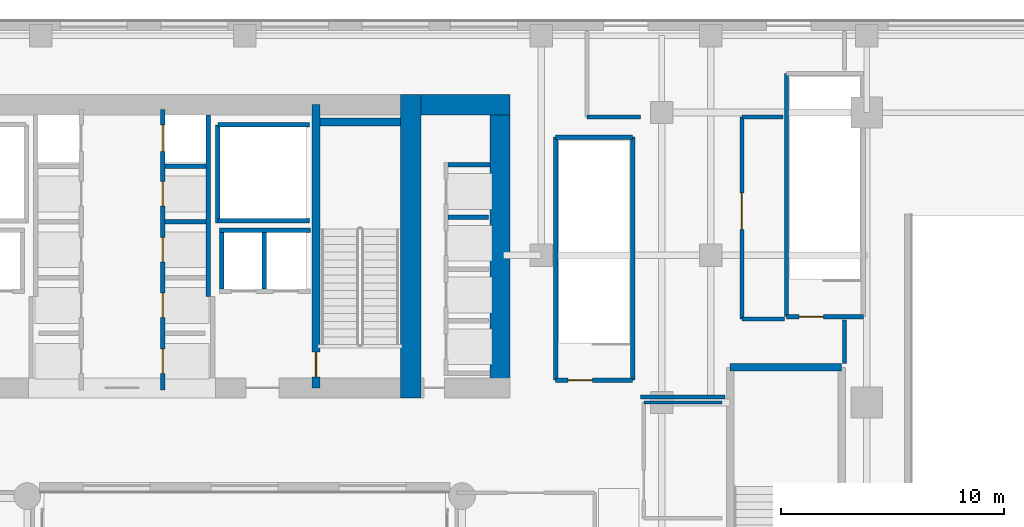
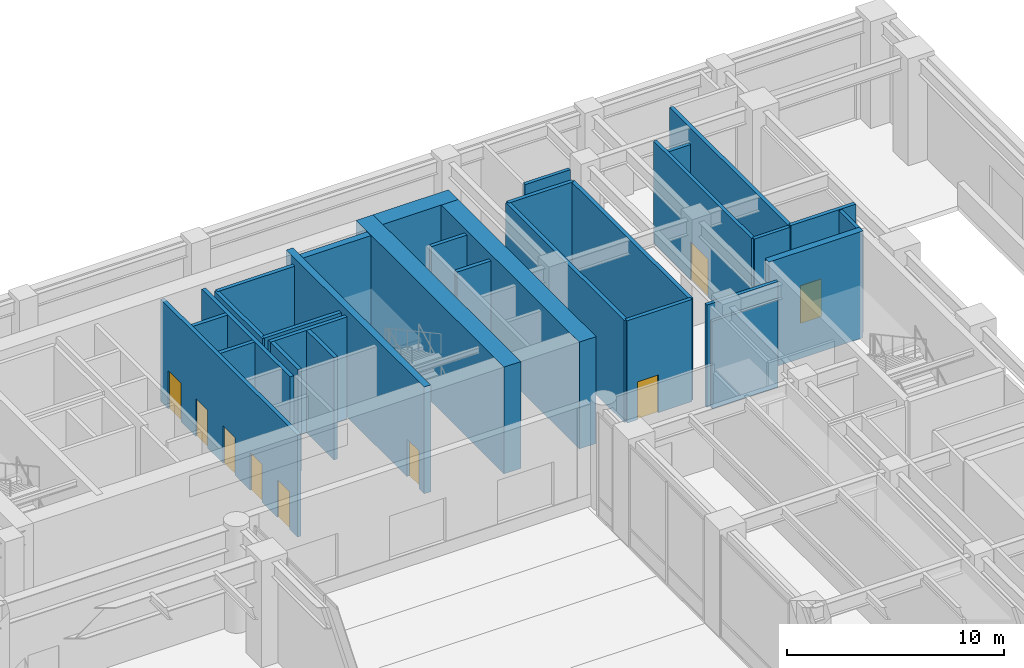
# One storey, part 16 of 28: 31 walls, 9 doors, 9 openings.
"""IFC4 building model written with IfcOpenShell, lengths in metres."""

import ifcopenshell
import ifcopenshell.guid

model = None  # the IFC model being written
_history = None  # IfcOwnerHistory: only IFC2X3 demands one
_inside = {}  # id of a spatial element -> (the spatial element, [elements in it])
_under = {}  # id of a project, library or spatial element -> (it, [spatial elements below it])
_declared = {}  # id of a project -> (the project, [libraries it declares])
_typed = {}  # id of a type object -> (the type object, [elements of that type])
_made_of = {}  # id of a material, layer set ... -> (it, [elements and type objects made of it])


def new_model(schema):
    """Start an empty IFC model of exactly this schema.

    Asked for "IFC4X3", IfcOpenShell would pick the latest addendum, in which some entities
    have other attributes; the version numbers below select the first issue.
    IFC2X3 requires an IfcOwnerHistory on every rooted entity: one is made here for all.
    """
    global model, _history
    if schema == "IFC4X3":
        model = ifcopenshell.file(schema_version=(4, 3, 0, 0))
    else:
        model = ifcopenshell.file(schema=schema)
    _inside.clear()
    _under.clear()
    _declared.clear()
    _typed.clear()
    _made_of.clear()
    _history = None
    if model.schema == "IFC2X3":
        org = make("IfcOrganization", Name="unknown")
        user = make(
            "IfcPersonAndOrganization",
            ThePerson=make("IfcPerson", FamilyName="unknown"),
            TheOrganization=org,
        )
        app = make(
            "IfcApplication",
            ApplicationDeveloper=org,
            Version="unknown",
            ApplicationFullName="unknown",
            ApplicationIdentifier="unknown",
        )
        _history = make(
            "IfcOwnerHistory",
            OwningUser=user,
            OwningApplication=app,
            ChangeAction="ADDED",
            CreationDate=0,
        )
    return model


def make(cls, **values):
    """One entity of the class cls with the attributes given. An attribute that is None is left unset."""
    return model.create_entity(
        cls, **{name: value for name, value in values.items() if value is not None}
    )


def rooted(cls, **values):
    """An entity with a GlobalId (a new one), such as an element, a storey or a relation."""
    return make(cls, GlobalId=ifcopenshell.guid.new(), OwnerHistory=_history, **values)


def si_unit(unit_type, name, prefix=None):
    """IfcSIUnit, for example si_unit("LENGTHUNIT", "METRE", prefix="MILLI")."""
    return make("IfcSIUnit", UnitType=unit_type, Prefix=prefix, Name=name)


def assignment(units):
    """IfcUnitAssignment: the units of a project."""
    return None if units is None else make("IfcUnitAssignment", Units=units)


def point(xyz):
    """IfcCartesianPoint."""
    return None if xyz is None else make("IfcCartesianPoint", Coordinates=xyz)


def direction(xyz):
    """IfcDirection."""
    return None if xyz is None else make("IfcDirection", DirectionRatios=xyz)


def frame(location, z_axis=None, x_axis=None):
    """IfcAxis2Placement3D, a coordinate frame: its origin and axes. An axis left out is left unset."""
    return make(
        "IfcAxis2Placement3D",
        Location=point(location),
        Axis=direction(z_axis),
        RefDirection=direction(x_axis),
    )


def frame_2d(location, x_axis=None):
    """IfcAxis2Placement2D, a coordinate frame in the plane: its origin and x axis."""
    return make(
        "IfcAxis2Placement2D", Location=point(location), RefDirection=direction(x_axis)
    )


def origin():
    """The frame at (0, 0, 0) with its axes left unset."""
    return frame((0.0, 0.0, 0.0))


def place(relative_to, where):
    """IfcLocalPlacement: puts the frame where relative to a parent placement (None: the world)."""
    return make(
        "IfcLocalPlacement", PlacementRelTo=relative_to, RelativePlacement=where
    )


def context(
    kind, dimensions, precision=None, world=None, true_north=None, identifier=None
):
    """IfcGeometricRepresentationContext, for example the 3D "Model" context."""
    return make(
        "IfcGeometricRepresentationContext",
        ContextIdentifier=identifier,
        ContextType=kind,
        CoordinateSpaceDimension=dimensions,
        Precision=precision,
        WorldCoordinateSystem=world,
        TrueNorth=true_north,
    )


def subcontext(parent, identifier, kind, view, scale=None):
    """IfcGeometricRepresentationSubContext, for example "Body" below "Model"."""
    return make(
        "IfcGeometricRepresentationSubContext",
        ContextIdentifier=identifier,
        ContextType=kind,
        ParentContext=parent,
        TargetScale=scale,
        TargetView=view,
    )


def project(units=None, contexts=None):
    """IfcProject with its units and contexts."""
    return rooted(
        "IfcProject",
        Name="project",
        RepresentationContexts=contexts,
        UnitsInContext=assignment(units),
    )


def spatial(cls, under=None, at=None, **own):
    """A site, building, storey or space (cls), placed at a placement, below another one or the project."""
    s = rooted(cls, ObjectPlacement=at, **own)
    if under is not None:
        _under.setdefault(under.id(), (under, []))[1].append(s)
    return s


def profile(cls, at=None, kind="AREA", **sizes):
    """A parametric profile (cls). Its sizes go by their IFC names, for example OverallWidth=200.0."""
    return make(cls, ProfileType=kind, Position=at, **sizes)


def rectangle(**sizes):
    """IfcRectangleProfileDef."""
    return profile("IfcRectangleProfileDef", **sizes)


def extrude(swept, where, along, depth):
    """IfcExtrudedAreaSolid: the profile swept, set in the frame where, extruded along a direction by depth."""
    return make(
        "IfcExtrudedAreaSolid",
        SweptArea=swept,
        Position=where,
        ExtrudedDirection=direction(along),
        Depth=depth,
    )


def shape(context_of_items, identifier, shape_type, items):
    """IfcShapeRepresentation: the items that make up one representation, for example the "Body"."""
    return make(
        "IfcShapeRepresentation",
        ContextOfItems=context_of_items,
        RepresentationIdentifier=identifier,
        RepresentationType=shape_type,
        Items=items,
    )


def source(mapping_origin, context_of_items, identifier, shape_type, items):
    """IfcRepresentationMap: a shape defined once, which mapped items show again and again."""
    return make(
        "IfcRepresentationMap",
        MappingOrigin=mapping_origin,
        MappedRepresentation=shape(context_of_items, identifier, shape_type, items),
    )


def transform(
    local_origin,
    x_axis=None,
    y_axis=None,
    z_axis=None,
    scale=None,
    scale2=None,
    scale3=None,
    uniform=True,
):
    """IfcCartesianTransformationOperator3D, or its non-uniform kind. x_axis, y_axis, z_axis: its Axis1, 2, 3."""
    if uniform:
        return make(
            "IfcCartesianTransformationOperator3D",
            Axis1=direction(x_axis),
            Axis2=direction(y_axis),
            LocalOrigin=point(local_origin),
            Scale=scale,
            Axis3=direction(z_axis),
        )
    return make(
        "IfcCartesianTransformationOperator3DnonUniform",
        Axis1=direction(x_axis),
        Axis2=direction(y_axis),
        LocalOrigin=point(local_origin),
        Scale=scale,
        Axis3=direction(z_axis),
        Scale2=scale2,
        Scale3=scale3,
    )


def mapped(mapping_source, mapping_target):
    """IfcMappedItem: shows the shape of a source again, moved by a transform."""
    return make(
        "IfcMappedItem", MappingSource=mapping_source, MappingTarget=mapping_target
    )


def material(Name=None, Category=None):
    """IfcMaterial."""
    return make("IfcMaterial", Name=Name, Category=Category)


def layer(
    of_material, thickness, ventilated=None, Name=None, Category=None, Priority=None
):
    """IfcMaterialLayer: one layer of a wall or slab, of a material (None: an air gap)."""
    return make(
        "IfcMaterialLayer",
        Material=of_material,
        LayerThickness=thickness,
        IsVentilated=ventilated,
        Name=Name,
        Category=Category,
        Priority=Priority,
    )


def layer_set(layers, Name=None):
    """IfcMaterialLayerSet."""
    return make("IfcMaterialLayerSet", MaterialLayers=layers, LayerSetName=Name)


def made_of(thing, what):
    """Note that an element or type object is made of a material, layer set ...; save() writes the relation."""
    if what is not None:
        _made_of.setdefault(what.id(), (what, []))[1].append(thing)
    return thing


def type_object(cls, material=None, **own):
    """A type object (cls), such as IfcWallType, which elements share."""
    return made_of(rooted(cls, **own), material)


def type_shapes(of_type, sources):
    """Give a type object the sources (RepresentationMaps) that its elements show as mapped items."""
    of_type.RepresentationMaps = sources


def element(
    cls,
    number,
    at=None,
    inside=None,
    cuts=None,
    type_object=None,
    material=None,
    context=None,
    identifier="Body",
    shape_type=None,
    held_by="IfcProductDefinitionShape",
    body=None,
    shapes=None,
    **own,
):
    """One element of the class cls, such as IfcWall. Its Tag is "e" and its number.

    at: its placement. inside: the storey or other place that contains it. cuts: it is an
    opening in that element (IfcRelVoidsElement). A single representation is given by context,
    identifier, shape_type and body (its items); several are given by shapes. held_by: the class
    of the entity that holds the representations. save() writes the other relations.
    """
    e = rooted(cls, Tag="e%d" % number, ObjectPlacement=at, **own)
    if body is not None:
        shapes = [shape(context, identifier, shape_type, body)]
    if shapes is not None:
        e.Representation = make(held_by, Representations=shapes)
    if inside is not None:
        _inside.setdefault(inside.id(), (inside, []))[1].append(e)
    if cuts is not None:
        rooted(
            "IfcRelVoidsElement", RelatingBuildingElement=cuts, RelatedOpeningElement=e
        )
    if type_object is not None:
        _typed.setdefault(type_object.id(), (type_object, []))[1].append(e)
    return made_of(e, material)


def fill(opening, filler):
    """IfcRelFillsElement: the door or window that sits in an opening."""
    return rooted(
        "IfcRelFillsElement",
        RelatingOpeningElement=opening,
        RelatedBuildingElement=filler,
    )


def aggregate(whole, parts):
    """IfcRelAggregates: a whole, such as a stair, and the parts it consists of."""
    return rooted("IfcRelAggregates", RelatingObject=whole, RelatedObjects=parts)


def save(model, path):
    """Write the relations noted so far, then the file.

    IfcRelAggregates (storeys below a building ...), IfcRelContainedInSpatialStructure (elements
    in a storey), IfcRelDefinesByType, IfcRelAssociatesMaterial and IfcRelDeclares: one each for
    every whole, place, type object, material and project.
    """
    for whole, parts in _under.values():
        aggregate(whole, parts)
    for where, things in _inside.values():
        rooted(
            "IfcRelContainedInSpatialStructure",
            RelatedElements=things,
            RelatingStructure=where,
        )
    for kind, things in _typed.values():
        rooted("IfcRelDefinesByType", RelatedObjects=things, RelatingType=kind)
    for what, things in _made_of.values():
        rooted("IfcRelAssociatesMaterial", RelatedObjects=things, RelatingMaterial=what)
    for by, libraries in _declared.values():
        rooted("IfcRelDeclares", RelatingContext=by, RelatedDefinitions=libraries)
    model.write(path)


model = new_model("IFC4")

# Units and contexts
model_context = context("Model", 3, precision=1e-05, world=origin(), true_north=direction((0.0, 1.0)))
body_context = subcontext(model_context, "Body", "Model", "MODEL_VIEW")
ifc_project = project(units=[si_unit("LENGTHUNIT", "METRE"), si_unit("AREAUNIT", "SQUARE_METRE"), si_unit("VOLUMEUNIT", "CUBIC_METRE"), si_unit("PLANEANGLEUNIT", "RADIAN"), si_unit("MASSUNIT", "GRAM", prefix="KILO")], contexts=[model_context])

# Site, building, storey
site_placement = place(None, origin())
site = spatial("IfcSite", under=ifc_project, at=site_placement, CompositionType="ELEMENT")
building_placement = place(site_placement, origin())
building = spatial("IfcBuilding", under=site, at=building_placement, Name="Tolvann Quenvar Hotel", CompositionType="ELEMENT")
storey_placement = place(building_placement, origin())
storey = spatial("IfcBuildingStorey", under=building, at=storey_placement, Name="L00", CompositionType="ELEMENT", Elevation=0.0)

# Walls
ifc_material_1 = material(Name="Concrete S80 (80 MPa)", Category="concrete")
ifc_layer_1 = layer(ifc_material_1, 0.89990234375)
ifc_layer_set_1 = layer_set([ifc_layer_1], Name="Concrete S80 (80 MPa)")
wall_type_1 = type_object("IfcWallType", Name="WALL_CORE_900", PredefinedType="SHEAR", material=ifc_layer_set_1)
wall_1_placement = place(storey_placement, frame((35.949951171875, 31.60009765625, 0.0), z_axis=(0.0, 0.0, 1.0), x_axis=(0.0, 1.0, 0.0)))
element("IfcWall", 1, at=wall_1_placement, inside=storey, type_object=wall_type_1, Name="Rear Core E Shear Wall (L00)", PredefinedType="SHEAR", context=body_context, shape_type="SweptSolid", body=[
    extrude(rectangle(XDim=13.599853515625, YDim=0.89990234375, at=frame_2d((6.7998046875, 0.0))), origin(), (0.0, 0.0, 1.0), 6.0),
])
wall_2_placement = place(storey_placement, frame((36.39990234375, 44.75, 0.0), z_axis=(0.0, 0.0, 1.0), x_axis=(1.0, 0.0, 0.0)))
element("IfcWall", 2, at=wall_2_placement, inside=storey, type_object=wall_type_1, Name="Core East Annex Shear Wall ANN-N (L00)", PredefinedType="SHEAR", context=body_context, shape_type="SweptSolid", body=[
    extrude(rectangle(XDim=4.0, YDim=0.89990234375, at=frame_2d((2.0, 0.0))), origin(), (0.0, 0.0, 1.0), 6.0),
])
wall_3_placement = place(storey_placement, frame((39.949951171875, 31.60009765625, 0.0), z_axis=(0.0, 0.0, 1.0), x_axis=(0.0, 1.0, 0.0)))
element("IfcWall", 3, at=wall_3_placement, inside=storey, type_object=wall_type_1, Name="Core East Annex Shear Wall ANN-E (L00)", PredefinedType="SHEAR", context=body_context, shape_type="SweptSolid", body=[
    extrude(rectangle(XDim=13.599853515625, YDim=0.89990234375, at=frame_2d((6.7998046875, 0.0))), origin(), (0.0, 0.0, 1.0), 6.0),
])

# Wall, opening, door
ifc_material_2 = material(Name="Concrete S65 (65 MPa)", Category="concrete")
ifc_layer_2 = layer(ifc_material_2, 0.35009765625)
ifc_layer_set_2 = layer_set([ifc_layer_2], Name="Concrete S65 (65 MPa)")
wall_type_2 = type_object("IfcWallType", Name="WALL_CORE_INT_350", PredefinedType="SHEAR", material=ifc_layer_set_2)
wall_4_placement = place(storey_placement, frame((31.699951171875, 32.050048828125, 0.0), z_axis=(0.0, 0.0, 1.0), x_axis=(0.0, 1.0, 0.0)))
wall_4 = element("IfcWall", 4, at=wall_4_placement, inside=storey, type_object=wall_type_2, Name="Core Internal Web Shear Wall WEB-E (L00)", PredefinedType="SHEAR", context=body_context, shape_type="SweptSolid", body=[
    extrude(rectangle(XDim=12.699951171875, YDim=0.35009765625, at=frame_2d((6.35009765625, 0.0))), origin(), (0.0, 0.0, 1.0), 6.0),
])
opening_1_placement = place(wall_4_placement, frame((0.5, 0.0, 0.0)))
opening_1 = element("IfcOpeningElement", 5, at=opening_1_placement, cuts=wall_4, Name="Opening FD-120", PredefinedType="OPENING", context=body_context, shape_type="SweptSolid", body=[
    extrude(rectangle(XDim=1.10009765625, YDim=2.1201171875, at=frame_2d((0.550048828125, 1.06005859375))), frame((0.0, 0.18505859375, 0.0), z_axis=(0.0, -1.0, 0.0), x_axis=(1.0, 0.0, 0.0)), (0.0, 0.0, 1.0), 0.3701171875),
])
ifc_material_3 = material(Name="Pressed galvanised steel fire-rated door set", Category="steel")
door_type_1 = type_object("IfcDoorType", Name="DOOR_FIRE_STAIR_1100", OperationType="NOTDEFINED", PredefinedType="DOOR", material=ifc_material_3)
shared_shape_1 = source(origin(), body_context, "Body", "SweptSolid", [
    extrude(rectangle(XDim=1.10009765625, YDim=2.1201171875, at=frame_2d((0.550048828125, 1.06005859375))), frame((0.0, 0.02490234375, 0.0), z_axis=(0.0, -1.0, 0.0), x_axis=(1.0, 0.0, 0.0)), (0.0, 0.0, 1.0), 0.050048828125),
])
type_shapes(door_type_1, [shared_shape_1])
door_1_placement = place(opening_1_placement, origin())
door_1 = element("IfcDoor", 6, at=door_1_placement, inside=storey, type_object=door_type_1, Name="Exit Stair ST-C2 Fire Door (L00)", OperationType="SINGLE_SWING_LEFT", OverallHeight=2.1201171875, OverallWidth=1.10009765625, PredefinedType="DOOR", context=body_context, shape_type="MappedRepresentation", body=[
    mapped(shared_shape_1, transform((0.0, 0.0, 0.0), x_axis=(1.0, 0.0, 0.0), y_axis=(0.0, 1.0, 0.0), z_axis=(0.0, 0.0, 1.0), scale=1.0)),
])
fill(opening_1, door_1)

# Walls
wall_5_placement = place(storey_placement, frame((31.8798828125, 43.97509765625, 0.0), z_axis=(0.0, 0.0, 1.0), x_axis=(1.0, 0.0, 0.0)))
element("IfcWall", 7, at=wall_5_placement, inside=storey, type_object=wall_type_2, Name="Core Stair North Closing Shear Wall STC2-N (L00)", PredefinedType="SHEAR", context=body_context, shape_type="SweptSolid", body=[
    extrude(rectangle(XDim=3.60009765625, YDim=0.35009765625, at=frame_2d((1.800048828125, 0.0))), origin(), (0.0, 0.0, 1.0), 6.0),
])
wall_6_placement = place(storey_placement, frame((55.27490234375, 32.97509765625, 0.0), z_axis=(0.0, 0.0, 1.0), x_axis=(-1.0, 0.0, 0.0)))
element("IfcWall", 8, at=wall_6_placement, inside=storey, type_object=wall_type_2, Name="Stairwell ST-P4 Structural Shaft Wall N (L00)", PredefinedType="SHEAR", context=body_context, shape_type="SweptSolid", body=[
    extrude(rectangle(XDim=5.0, YDim=0.35009765625, at=frame_2d((2.5, 0.0))), origin(), (0.0, 0.0, 1.0), 6.0),
])
ifc_material_4 = material(Name="Acoustic twin-stud fire-rated gypsum plasterboard partition")
ifc_layer_3 = layer(ifc_material_4, 0.179931640625)
ifc_layer_set_3 = layer_set([ifc_layer_3], Name="Acoustic twin-stud fire-rated gypsum plasterboard partition")
wall_type_3 = type_object("IfcWallType", Name="WALL_PART_ACOUSTIC_180", PredefinedType="PARTITIONING", material=ifc_layer_set_3)
wall_7_placement = place(storey_placement, frame((46.25, 31.64990234375, 0.0), z_axis=(0.0, 0.0, 1.0), x_axis=(1.0, 0.0, 0.0)))
element("IfcWall", 9, at=wall_7_placement, inside=storey, type_object=wall_type_3, Name="Interior Partition PT-SPC-L00-EDP-NE-E1", PredefinedType="PARTITIONING", context=body_context, shape_type="SweptSolid", body=[
    extrude(rectangle(XDim=3.794921875, YDim=0.179931640625, at=frame_2d((1.8974609375, 0.0))), origin(), (0.0, 0.0, 1.0), 5.739990234375),
])
wall_8_placement = place(storey_placement, frame((55.39990234375, 33.14990234375, 0.0), z_axis=(0.0, 0.0, 1.0), x_axis=(0.0, 1.0, 0.0)))
element("IfcWall", 10, at=wall_8_placement, inside=storey, type_object=wall_type_3, Name="Interior Partition PT-SPC-L00-EDP-NE-E6", PredefinedType="PARTITIONING", context=body_context, shape_type="SweptSolid", body=[
    extrude(rectangle(XDim=1.945068359375, YDim=0.179931640625, at=frame_2d((0.97265625, 0.0))), origin(), (0.0, 0.0, 1.0), 5.739990234375),
])
wall_9_placement = place(storey_placement, frame((50.800048828125, 35.14990234375, 0.0), z_axis=(0.0, 0.0, 1.0), x_axis=(1.0, 0.0, 0.0)))
element("IfcWall", 11, at=wall_9_placement, inside=storey, type_object=wall_type_3, Name="Interior Partition PT-SPC-L00-EDP-NE-E7", PredefinedType="PARTITIONING", context=body_context, shape_type="SweptSolid", body=[
    extrude(rectangle(XDim=1.89990234375, YDim=0.179931640625, at=frame_2d((0.949951171875, 0.0))), origin(), (0.0, 0.0, 1.0), 5.739990234375),
])

# Wall, opening, door
wall_10_placement = place(storey_placement, frame((50.800048828125, 35.14990234375, 0.0), z_axis=(0.0, 0.0, 1.0), x_axis=(0.0, 1.0, 0.0)))
wall_10 = element("IfcWall", 12, at=wall_10_placement, inside=storey, type_object=wall_type_3, Name="Interior Partition PT-SPC-L00-EDP-NE-E8", PredefinedType="PARTITIONING", context=body_context, shape_type="SweptSolid", body=[
    extrude(rectangle(XDim=9.050048828125, YDim=0.179931640625, at=frame_2d((4.52490234375, 0.0))), origin(), (0.0, 0.0, 1.0), 5.739990234375),
])
opening_2_placement = place(wall_10_placement, frame((4.0, 0.0, 0.0)))
opening_2 = element("IfcOpeningElement", 13, at=opening_2_placement, cuts=wall_10, Name="Opening AD-01", PredefinedType="OPENING", context=body_context, shape_type="SweptSolid", body=[
    extrude(rectangle(XDim=1.64990234375, YDim=2.14990234375, at=frame_2d((0.824951171875, 1.074951171875))), frame((0.0, 0.10009765625, 0.0), z_axis=(0.0, -1.0, 0.0), x_axis=(1.0, 0.0, 0.0)), (0.0, 0.0, 1.0), 0.199951171875),
])
ifc_material_5 = material(Name="Solid-core American oak acoustic fire door leaf in steel frame", Category="steel")
door_type_2 = type_object("IfcDoorType", Name="DOOR_SALON_1650", OperationType="NOTDEFINED", PredefinedType="DOOR", material=ifc_material_5)
shared_shape_2 = source(origin(), body_context, "Body", "SweptSolid", [
    extrude(rectangle(XDim=1.64990234375, YDim=2.14990234375, at=frame_2d((0.824951171875, 1.074951171875))), frame((0.0, 0.02490234375, 0.0), z_axis=(0.0, -1.0, 0.0), x_axis=(1.0, 0.0, 0.0)), (0.0, 0.0, 1.0), 0.050048828125),
])
type_shapes(door_type_2, [shared_shape_2])
door_2_placement = place(opening_2_placement, origin())
door_2 = element("IfcDoor", 14, at=door_2_placement, inside=storey, type_object=door_type_2, Name="Interior Door DOOR-SPC-L00-EDP-NE", OperationType="DOUBLE_DOOR_SINGLE_SWING", OverallHeight=2.14990234375, OverallWidth=1.64990234375, PredefinedType="DOOR", context=body_context, shape_type="MappedRepresentation", body=[
    mapped(shared_shape_2, transform((0.0, 0.0, 0.0), x_axis=(1.0, 0.0, 0.0), y_axis=(0.0, 1.0, 0.0), z_axis=(0.0, 0.0, 1.0), scale=1.0)),
])
fill(opening_2, door_2)

# Walls
wall_11_placement = place(storey_placement, frame((50.800048828125, 44.199951171875, 0.0), z_axis=(0.0, 0.0, 1.0), x_axis=(1.0, 0.0, 0.0)))
element("IfcWall", 15, at=wall_11_placement, inside=storey, type_object=wall_type_3, Name="Interior Partition PT-SPC-L00-EDP-NE-E9", PredefinedType="PARTITIONING", context=body_context, shape_type="SweptSolid", body=[
    extrude(rectangle(XDim=1.844970703125, YDim=0.179931640625, at=frame_2d((0.92236328125, 0.0))), origin(), (0.0, 0.0, 1.0), 4.9140625),
])
wall_12_placement = place(storey_placement, frame((43.85009765625, 44.199951171875, 0.0), z_axis=(0.0, 0.0, 1.0), x_axis=(1.0, 0.0, 0.0)))
element("IfcWall", 16, at=wall_12_placement, inside=storey, type_object=wall_type_3, Name="Interior Partition PT-SPC-L00-EDP-NE-E15", PredefinedType="PARTITIONING", context=body_context, shape_type="SweptSolid", body=[
    extrude(rectangle(XDim=2.39990234375, YDim=0.179931640625, at=frame_2d((1.199951171875, 0.0))), origin(), (0.0, 0.0, 1.0), 5.739990234375),
])
ifc_layer_4 = layer(ifc_material_4, 0.14990234375)
ifc_layer_set_4 = layer_set([ifc_layer_4], Name="Acoustic twin-stud fire-rated gypsum plasterboard partition")
wall_type_4 = type_object("IfcWallType", Name="WALL_PART_SUITE_150", PredefinedType="PARTITIONING", material=ifc_layer_set_4)
wall_13_placement = place(storey_placement, frame((46.39990234375, 31.39990234375, 0.0), z_axis=(0.0, 0.0, 1.0), x_axis=(1.0, 0.0, 0.0)))
element("IfcWall", 17, at=wall_13_placement, inside=storey, type_object=wall_type_4, Name="Interior Partition PT-SPC-L00-FCC-N", PredefinedType="PARTITIONING", context=body_context, shape_type="SweptSolid", body=[
    extrude(rectangle(XDim=3.5, YDim=0.14990234375, at=frame_2d((1.75, 0.0))), origin(), (0.0, 0.0, 1.0), 4.9140625),
])

# Wall, opening, door
ifc_material_6 = material(Name="Concrete N40 (40 MPa)", Category="concrete")
ifc_layer_5 = layer(ifc_material_6, 0.199951171875)
ifc_layer_set_5 = layer_set([ifc_layer_5], Name="Concrete N40 (40 MPa)")
wall_type_5 = type_object("IfcWallType", Name="WALL_SHAFT_200", PredefinedType="SOLIDWALL", material=ifc_layer_set_5)
wall_14_placement = place(storey_placement, frame((42.449951171875, 32.39990234375, 0.0), z_axis=(0.0, 0.0, 1.0), x_axis=(1.0, 0.0, 0.0)))
wall_14 = element("IfcWall", 18, at=wall_14_placement, inside=storey, type_object=wall_type_5, Name="Stairwell ST-B2 Fire Wall S (L00)", PredefinedType="SOLIDWALL", context=body_context, shape_type="SweptSolid", body=[
    extrude(rectangle(XDim=3.449951171875, YDim=0.199951171875, at=frame_2d((1.72509765625, 0.0))), origin(), (0.0, 0.0, 1.0), 5.739990234375),
])
opening_3_placement = place(wall_14_placement, frame((1.650146484375, 0.0, 0.0), z_axis=(0.0, 0.0, 1.0), x_axis=(-1.0, 0.0, 0.0)))
opening_3 = element("IfcOpeningElement", 19, at=opening_3_placement, cuts=wall_14, Name="Opening FD-120", PredefinedType="OPENING", context=body_context, shape_type="SweptSolid", body=[
    extrude(rectangle(XDim=1.10009765625, YDim=2.1201171875, at=frame_2d((0.550048828125, 1.06005859375))), frame((0.0, 0.10986328125, 0.0), z_axis=(0.0, -1.0, 0.0), x_axis=(1.0, 0.0, 0.0)), (0.0, 0.0, 1.0), 0.219970703125),
])
door_3_placement = place(opening_3_placement, origin())
door_3 = element("IfcDoor", 20, at=door_3_placement, inside=storey, type_object=door_type_1, Name="Exit Stair ST-B2 Fire Door (L00)", OperationType="SINGLE_SWING_LEFT", OverallHeight=2.1201171875, OverallWidth=1.10009765625, PredefinedType="DOOR", context=body_context, shape_type="MappedRepresentation", body=[
    mapped(shared_shape_1, transform((0.0, 0.0, 0.0), x_axis=(1.0, 0.0, 0.0), y_axis=(0.0, 1.0, 0.0), z_axis=(0.0, 0.0, 1.0), scale=1.0)),
])
fill(opening_3, door_3)

# Walls
wall_15_placement = place(storey_placement, frame((45.89990234375, 32.39990234375, 0.0), z_axis=(0.0, 0.0, 1.0), x_axis=(0.0, 1.0, 0.0)))
element("IfcWall", 21, at=wall_15_placement, inside=storey, type_object=wall_type_5, Name="Stairwell ST-B2 Fire Wall E (L00)", PredefinedType="SOLIDWALL", context=body_context, shape_type="SweptSolid", body=[
    extrude(rectangle(XDim=10.900146484375, YDim=0.199951171875, at=frame_2d((5.4501953125, 0.0))), origin(), (0.0, 0.0, 1.0), 5.739990234375),
])
wall_16_placement = place(storey_placement, frame((45.89990234375, 43.300048828125, 0.0), z_axis=(0.0, 0.0, 1.0), x_axis=(-1.0, 0.0, 0.0)))
element("IfcWall", 22, at=wall_16_placement, inside=storey, type_object=wall_type_5, Name="Stairwell ST-B2 Fire Wall N (L00)", PredefinedType="SOLIDWALL", context=body_context, shape_type="SweptSolid", body=[
    extrude(rectangle(XDim=3.449951171875, YDim=0.199951171875, at=frame_2d((1.72509765625, 0.0))), origin(), (0.0, 0.0, 1.0), 5.739990234375),
])
wall_17_placement = place(storey_placement, frame((42.449951171875, 43.300048828125, 0.0), z_axis=(0.0, 0.0, 1.0), x_axis=(0.0, -1.0, 0.0)))
element("IfcWall", 23, at=wall_17_placement, inside=storey, type_object=wall_type_5, Name="Stairwell ST-B2 Fire Wall W (L00)", PredefinedType="SOLIDWALL", context=body_context, shape_type="SweptSolid", body=[
    extrude(rectangle(XDim=10.900146484375, YDim=0.199951171875, at=frame_2d((5.4501953125, 0.0))), origin(), (0.0, 0.0, 1.0), 5.739990234375),
])

# Wall, opening, door
wall_18_placement = place(storey_placement, frame((52.800048828125, 35.25, 0.0), z_axis=(0.0, 0.0, 1.0), x_axis=(1.0, 0.0, 0.0)))
wall_18 = element("IfcWall", 24, at=wall_18_placement, inside=storey, type_object=wall_type_5, Name="Stairwell ST-B3 Fire Wall S (L00)", PredefinedType="SOLIDWALL", context=body_context, shape_type="SweptSolid", body=[
    extrude(rectangle(XDim=3.449951171875, YDim=0.199951171875, at=frame_2d((1.72509765625, 0.0))), origin(), (0.0, 0.0, 1.0), 5.739990234375),
])
opening_4_placement = place(wall_18_placement, frame((1.650146484375, 0.0, 0.0), z_axis=(0.0, 0.0, 1.0), x_axis=(-1.0, 0.0, 0.0)))
opening_4 = element("IfcOpeningElement", 25, at=opening_4_placement, cuts=wall_18, Name="Opening FD-120", PredefinedType="OPENING", context=body_context, shape_type="SweptSolid", body=[
    extrude(rectangle(XDim=1.10009765625, YDim=2.1201171875, at=frame_2d((0.550048828125, 1.06005859375))), frame((0.0, 0.10986328125, 0.0), z_axis=(0.0, -1.0, 0.0), x_axis=(1.0, 0.0, 0.0)), (0.0, 0.0, 1.0), 0.219970703125),
])
door_4_placement = place(opening_4_placement, origin())
door_4 = element("IfcDoor", 26, at=door_4_placement, inside=storey, type_object=door_type_1, Name="Exit Stair ST-B3 Fire Door (L00)", OperationType="SINGLE_SWING_RIGHT", OverallHeight=2.1201171875, OverallWidth=1.10009765625, PredefinedType="DOOR", context=body_context, shape_type="MappedRepresentation", body=[
    mapped(shared_shape_1, transform((0.0, 0.0, 0.0), x_axis=(1.0, 0.0, 0.0), y_axis=(0.0, 1.0, 0.0), z_axis=(0.0, 0.0, 1.0), scale=1.0)),
])
fill(opening_4, door_4)

# Walls
wall_19_placement = place(storey_placement, frame((52.800048828125, 46.14990234375, 0.0), z_axis=(0.0, 0.0, 1.0), x_axis=(0.0, -1.0, 0.0)))
element("IfcWall", 27, at=wall_19_placement, inside=storey, type_object=wall_type_5, Name="Stairwell ST-B3 Fire Wall W (L00)", PredefinedType="SOLIDWALL", context=body_context, shape_type="SweptSolid", body=[
    extrude(rectangle(XDim=10.89990234375, YDim=0.199951171875, at=frame_2d((5.449951171875, 0.0))), origin(), (0.0, 0.0, 1.0), 5.739990234375),
])
wall_20_placement = place(storey_placement, frame((27.300048828125, 39.449951171875, 0.0), z_axis=(0.0, 0.0, 1.0), x_axis=(0.0, 1.0, 0.0)))
element("IfcWall", 28, at=wall_20_placement, inside=storey, type_object=wall_type_5, Name="Service Riser E Shaft Wall IN (L00)", PredefinedType="SOLIDWALL", context=body_context, shape_type="SweptSolid", body=[
    extrude(rectangle(XDim=4.400146484375, YDim=0.199951171875, at=frame_2d((2.2001953125, 0.0))), origin(), (0.0, 0.0, 1.0), 5.739990234375),
])
for number, where, z_axis, x_axis, name in (
    (29, (27.300048828125, 39.550048828125, 0.0), (0.0, 0.0, 1.0), (1.0, 0.0, 0.0), "Service Riser E Shaft Wall S (L00)"),
    (30, (27.300048828125, 43.85009765625, 0.0), (0.0, 0.0, 1.0), (1.0, 0.0, 0.0), "Service Riser E Shaft Wall N (L00)"),
):
    element("IfcWall", number, at=place(storey_placement, frame(where, z_axis=z_axis, x_axis=x_axis)), inside=storey, type_object=wall_type_5, Name=name, PredefinedType="SOLIDWALL", context=body_context, shape_type="SweptSolid", body=[
        extrude(rectangle(XDim=4.099853515625, YDim=0.199951171875, at=frame_2d((2.0498046875, 0.0))), origin(), (0.0, 0.0, 1.0), 5.739990234375),
    ])
wall_21_placement = place(storey_placement, frame((27.375, 39.1201171875, 0.0), z_axis=(0.0, 0.0, 1.0), x_axis=(1.0, 0.0, 0.0)))
element("IfcWall", 31, at=wall_21_placement, inside=storey, type_object=wall_type_5, Name="Lift Bank SEC1 Hoistway Rear Wall (L00)", PredefinedType="SOLIDWALL", context=body_context, shape_type="SweptSolid", body=[
    extrude(rectangle(XDim=4.074951171875, YDim=0.199951171875, at=frame_2d((2.03759765625, 0.0))), origin(), (0.0, 0.0, 1.0), 5.739990234375),
])
for number, where, z_axis, x_axis, name in (
    (32, (27.47509765625, 36.47998046875, 0.0), (0.0, 0.0, 1.0), (0.0, 1.0, 0.0), "Lift Bank SEC1 Hoistway Cheek Wall 1 (L00)"),
    (33, (29.387451171875, 36.47998046875, 0.0), (0.0, 0.0, 1.0), (0.0, 1.0, 0.0), "Lift Bank SEC1 Divider Wall 1 (L00)"),
):
    element("IfcWall", number, at=place(storey_placement, frame(where, z_axis=z_axis, x_axis=x_axis)), inside=storey, type_object=wall_type_5, Name=name, PredefinedType="SOLIDWALL", context=body_context, shape_type="SweptSolid", body=[
        extrude(rectangle(XDim=2.5400390625, YDim=0.199951171875, at=frame_2d((1.27001953125, 0.0))), origin(), (0.0, 0.0, 1.0), 5.739990234375),
    ])

# Wall, openings, doors
wall_22_placement = place(storey_placement, frame((24.830078125, 31.9599609375, 0.0), z_axis=(0.0, 0.0, 1.0), x_axis=(0.0, 1.0, 0.0)))
wall_22 = element("IfcWall", 34, at=wall_22_placement, inside=storey, type_object=wall_type_5, Name="Lift Bank W24.9C1 Hoistway Front Wall (L00)", PredefinedType="SOLIDWALL", context=body_context, shape_type="SweptSolid", body=[
    extrude(rectangle(XDim=12.580078125, YDim=0.199951171875, at=frame_2d((6.2900390625, 0.0))), origin(), (0.0, 0.0, 1.0), 5.739990234375),
])
opening_5_placement = place(wall_22_placement, frame((0.739990234375, 0.0, 0.0)))
opening_5 = element("IfcOpeningElement", 35, at=opening_5_placement, cuts=wall_22, Name="Opening LD-01", PredefinedType="OPENING", context=body_context, shape_type="SweptSolid", body=[
    extrude(rectangle(XDim=1.10009765625, YDim=2.1201171875, at=frame_2d((0.550048828125, 1.06005859375))), frame((0.0, 0.10986328125, 0.0), z_axis=(0.0, -1.0, 0.0), x_axis=(1.0, 0.0, 0.0)), (0.0, 0.0, 1.0), 0.219970703125),
])
opening_6_placement = place(wall_22_placement, frame((3.239990234375, 0.0, 0.0)))
opening_6 = element("IfcOpeningElement", 36, at=opening_6_placement, cuts=wall_22, Name="Opening LD-01", PredefinedType="OPENING", context=body_context, shape_type="SweptSolid", body=[
    extrude(rectangle(XDim=1.10009765625, YDim=2.1201171875, at=frame_2d((0.550048828125, 1.06005859375))), frame((0.0, 0.10986328125, 0.0), z_axis=(0.0, -1.0, 0.0), x_axis=(1.0, 0.0, 0.0)), (0.0, 0.0, 1.0), 0.219970703125),
])
opening_7_placement = place(wall_22_placement, frame((5.739990234375, 0.0, 0.0)))
opening_7 = element("IfcOpeningElement", 37, at=opening_7_placement, cuts=wall_22, Name="Opening LD-01", PredefinedType="OPENING", context=body_context, shape_type="SweptSolid", body=[
    extrude(rectangle(XDim=1.10009765625, YDim=2.1201171875, at=frame_2d((0.550048828125, 1.06005859375))), frame((0.0, 0.10986328125, 0.0), z_axis=(0.0, -1.0, 0.0), x_axis=(1.0, 0.0, 0.0)), (0.0, 0.0, 1.0), 0.219970703125),
])
opening_8_placement = place(wall_22_placement, frame((8.239990234375, 0.0, 0.0)))
opening_8 = element("IfcOpeningElement", 38, at=opening_8_placement, cuts=wall_22, Name="Opening LD-01", PredefinedType="OPENING", context=body_context, shape_type="SweptSolid", body=[
    extrude(rectangle(XDim=1.10009765625, YDim=2.1201171875, at=frame_2d((0.550048828125, 1.06005859375))), frame((0.0, 0.10986328125, 0.0), z_axis=(0.0, -1.0, 0.0), x_axis=(1.0, 0.0, 0.0)), (0.0, 0.0, 1.0), 0.219970703125),
])
opening_9_placement = place(wall_22_placement, frame((10.68994140625, 0.0, 0.0)))
opening_9 = element("IfcOpeningElement", 39, at=opening_9_placement, cuts=wall_22, Name="Opening LD-02", PredefinedType="OPENING", context=body_context, shape_type="SweptSolid", body=[
    extrude(rectangle(XDim=1.199951171875, YDim=2.14990234375, at=frame_2d((0.60009765625, 1.074951171875))), frame((0.0, 0.10986328125, 0.0), z_axis=(0.0, -1.0, 0.0), x_axis=(1.0, 0.0, 0.0)), (0.0, 0.0, 1.0), 0.219970703125),
])
ifc_material_7 = material(Name="Brushed 316 stainless steel automatic sliding lift landing door", Category="steel")
door_type_3 = type_object("IfcDoorType", Name="DOOR_LIFT_SLIDE_1100", OperationType="NOTDEFINED", PredefinedType="DOOR", material=ifc_material_7)
shared_shape_3 = source(origin(), body_context, "Body", "SweptSolid", [
    extrude(rectangle(XDim=1.10009765625, YDim=2.1201171875, at=frame_2d((0.550048828125, 1.06005859375))), frame((0.0, 0.02490234375, 0.0), z_axis=(0.0, -1.0, 0.0), x_axis=(1.0, 0.0, 0.0)), (0.0, 0.0, 1.0), 0.050048828125),
])
type_shapes(door_type_3, [shared_shape_3])
door_5_placement = place(opening_5_placement, origin())
door_5 = element("IfcDoor", 40, at=door_5_placement, inside=storey, type_object=door_type_3, Name="Lift PH-3 Sliding Landing Door (L00)", OperationType="SLIDING_TO_LEFT", OverallHeight=2.1201171875, OverallWidth=1.10009765625, PredefinedType="DOOR", context=body_context, shape_type="MappedRepresentation", body=[
    mapped(shared_shape_3, transform((0.0, 0.0, 0.0), x_axis=(1.0, 0.0, 0.0), y_axis=(0.0, 1.0, 0.0), z_axis=(0.0, 0.0, 1.0), scale=1.0)),
])
fill(opening_5, door_5)
door_6_placement = place(opening_6_placement, origin())
door_6 = element("IfcDoor", 41, at=door_6_placement, inside=storey, type_object=door_type_3, Name="Lift PH-4 Sliding Landing Door (L00)", OperationType="SLIDING_TO_RIGHT", OverallHeight=2.1201171875, OverallWidth=1.10009765625, PredefinedType="DOOR", context=body_context, shape_type="MappedRepresentation", body=[
    mapped(shared_shape_3, transform((0.0, 0.0, 0.0), x_axis=(1.0, 0.0, 0.0), y_axis=(0.0, 1.0, 0.0), z_axis=(0.0, 0.0, 1.0), scale=1.0)),
])
fill(opening_6, door_6)
door_7_placement = place(opening_7_placement, origin())
door_7 = element("IfcDoor", 42, at=door_7_placement, inside=storey, type_object=door_type_3, Name="Lift PM-3 Sliding Landing Door (L00)", OperationType="SLIDING_TO_RIGHT", OverallHeight=2.1201171875, OverallWidth=1.10009765625, PredefinedType="DOOR", context=body_context, shape_type="MappedRepresentation", body=[
    mapped(shared_shape_3, transform((0.0, 0.0, 0.0), x_axis=(1.0, 0.0, 0.0), y_axis=(0.0, 1.0, 0.0), z_axis=(0.0, 0.0, 1.0), scale=1.0)),
])
fill(opening_7, door_7)
door_8_placement = place(opening_8_placement, origin())
door_8 = element("IfcDoor", 43, at=door_8_placement, inside=storey, type_object=door_type_3, Name="Lift PM-4 Sliding Landing Door (L00)", OperationType="SLIDING_TO_LEFT", OverallHeight=2.1201171875, OverallWidth=1.10009765625, PredefinedType="DOOR", context=body_context, shape_type="MappedRepresentation", body=[
    mapped(shared_shape_3, transform((0.0, 0.0, 0.0), x_axis=(1.0, 0.0, 0.0), y_axis=(0.0, 1.0, 0.0), z_axis=(0.0, 0.0, 1.0), scale=1.0)),
])
fill(opening_8, door_8)
door_type_4 = type_object("IfcDoorType", Name="DOOR_LIFT_OBS_1200", OperationType="NOTDEFINED", PredefinedType="DOOR", material=ifc_material_7)
shared_shape_4 = source(origin(), body_context, "Body", "SweptSolid", [
    extrude(rectangle(XDim=1.199951171875, YDim=2.14990234375, at=frame_2d((0.60009765625, 1.074951171875))), frame((0.0, 0.02490234375, 0.0), z_axis=(0.0, -1.0, 0.0), x_axis=(1.0, 0.0, 0.0)), (0.0, 0.0, 1.0), 0.050048828125),
])
type_shapes(door_type_4, [shared_shape_4])
door_9_placement = place(opening_9_placement, origin())
door_9 = element("IfcDoor", 44, at=door_9_placement, inside=storey, type_object=door_type_4, Name="Lift OB-2 Sliding Landing Door (L00)", OperationType="SLIDING_TO_LEFT", OverallHeight=2.14990234375, OverallWidth=1.199951171875, PredefinedType="DOOR", context=body_context, shape_type="MappedRepresentation", body=[
    mapped(shared_shape_4, transform((0.0, 0.0, 0.0), x_axis=(1.0, 0.0, 0.0), y_axis=(0.0, 1.0, 0.0), z_axis=(0.0, 0.0, 1.0), scale=1.0)),
])
fill(opening_9, door_9)

# Walls
wall_23_placement = place(storey_placement, frame((26.8701171875, 36.159912109375, 0.0), z_axis=(0.0, 0.0, 1.0), x_axis=(0.0, 1.0, 0.0)))
element("IfcWall", 45, at=wall_23_placement, inside=storey, type_object=wall_type_5, Name="Lift Bank W24.9C1 Hoistway Rear Wall (L00)", PredefinedType="SOLIDWALL", context=body_context, shape_type="SweptSolid", body=[
    extrude(rectangle(XDim=8.135986328125, YDim=0.199951171875, at=frame_2d((4.06787109375, 0.0))), origin(), (0.0, 0.0, 1.0), 5.739990234375),
])
for number, where, z_axis, x_axis, name in (
    (46, (24.929931640625, 39.5, 0.0), (0.0, 0.0, 1.0), (1.0, 0.0, 0.0), "Lift Bank W24.9C1 Divider Wall 3 (L00)"),
    (47, (24.929931640625, 42.0, 0.0), (0.0, 0.0, 1.0), (1.0, 0.0, 0.0), "Lift Bank W24.9C1 Divider Wall 4 (L00)"),
):
    element("IfcWall", number, at=place(storey_placement, frame(where, z_axis=z_axis, x_axis=x_axis)), inside=storey, type_object=wall_type_5, Name=name, PredefinedType="SOLIDWALL", context=body_context, shape_type="SweptSolid", body=[
        extrude(rectangle(XDim=1.840087890625, YDim=0.199951171875, at=frame_2d((0.919921875, 0.0))), origin(), (0.0, 0.0, 1.0), 5.739990234375),
    ])
wall_24_placement = place(storey_placement, frame((37.6298828125, 42.050048828125, 0.0), z_axis=(0.0, 0.0, 1.0), x_axis=(1.0, 0.0, 0.0)))
element("IfcWall", 48, at=wall_24_placement, inside=storey, type_object=wall_type_5, Name="Lift Bank W37.6C1 Hoistway Cheek Wall 2 (L00)", PredefinedType="SOLIDWALL", context=body_context, shape_type="SweptSolid", body=[
    extrude(rectangle(XDim=1.8701171875, YDim=0.199951171875, at=frame_2d((0.93505859375, 0.0))), origin(), (0.0, 0.0, 1.0), 5.739990234375),
])
wall_25_placement = place(storey_placement, frame((37.6298828125, 39.699951171875, 0.0), z_axis=(0.0, 0.0, 1.0), x_axis=(1.0, 0.0, 0.0)))
element("IfcWall", 49, at=wall_25_placement, inside=storey, type_object=wall_type_5, Name="Lift Bank W37.6C1 Divider Wall 3 (L00)", PredefinedType="SOLIDWALL", context=body_context, shape_type="SweptSolid", body=[
    extrude(rectangle(XDim=1.800048828125, YDim=0.199951171875, at=frame_2d((0.89990234375, 0.0))), origin(), (0.0, 0.0, 1.0), 5.739990234375),
])

save(model, "model.ifc")
